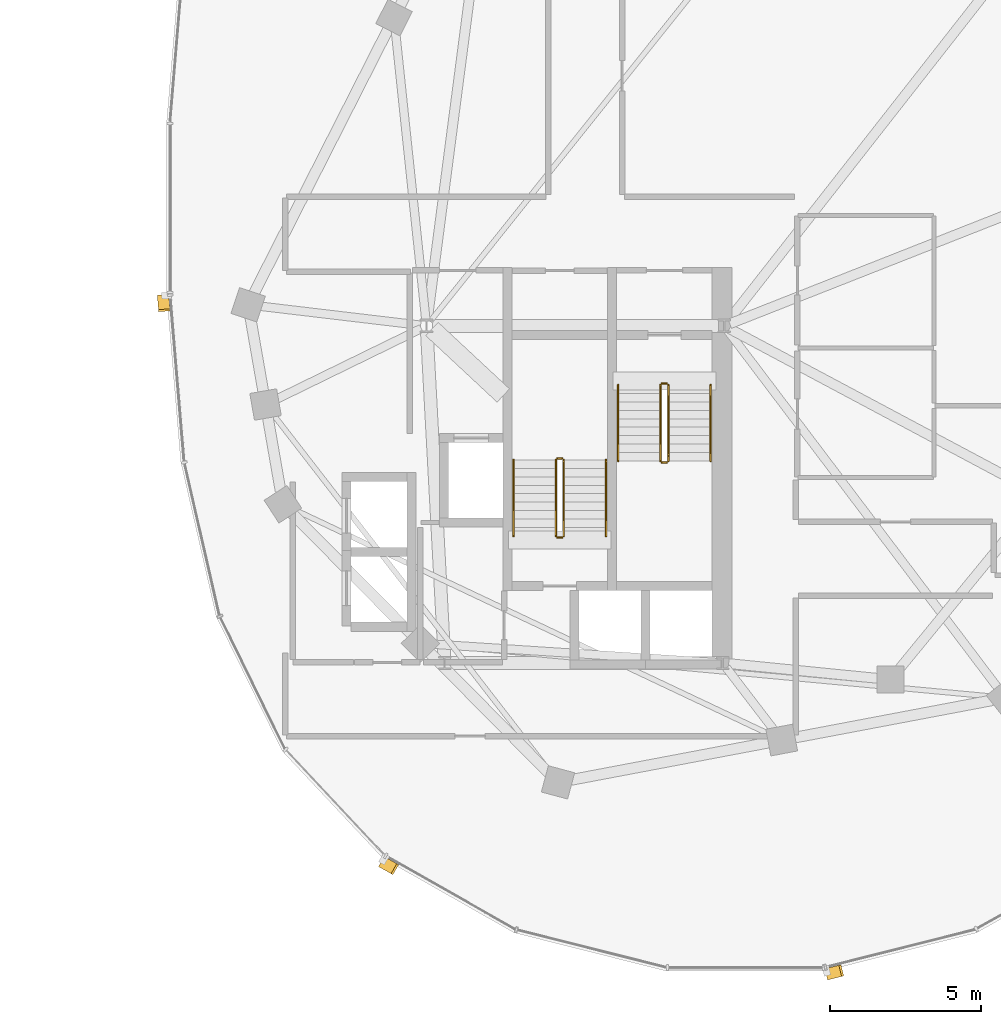
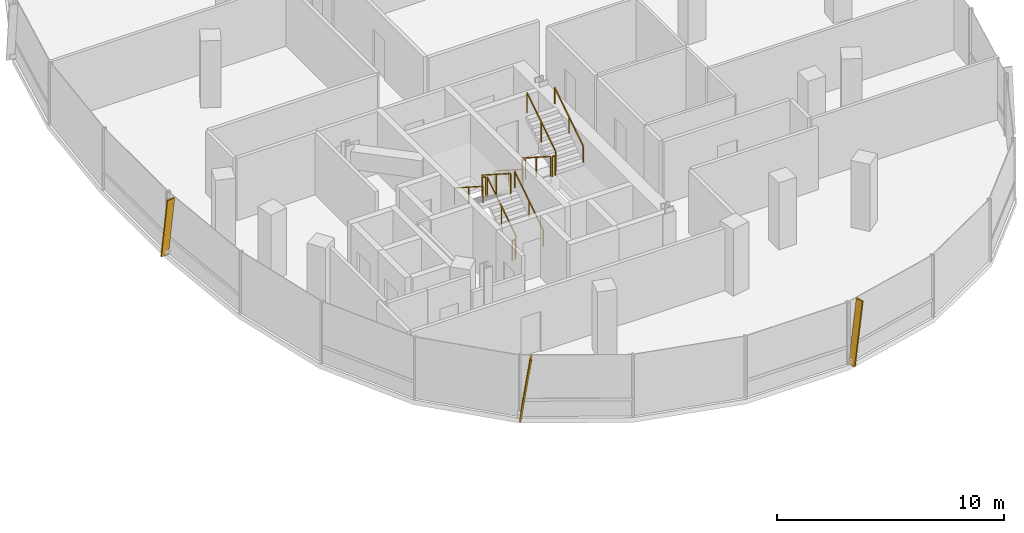
# One storey, part 24 of 25: 12 railings, 3 shading devices.
"""IFC4 building model written with IfcOpenShell, lengths in metres."""

from ifc_helpers import new_model, si_unit, direction, frame, origin, origin_2d, place, context, subcontext, project, spatial, rectangle, extrude, material, material_profile, profile_set, type_object, element, save


model = new_model("IFC4")

# Units and contexts
model_context = context("Model", 3, precision=1e-05, world=origin(), true_north=direction((0.0, 1.0)))
body_context = subcontext(model_context, "Body", "Model", "MODEL_VIEW")
ifc_project = project(units=[si_unit("LENGTHUNIT", "METRE"), si_unit("AREAUNIT", "SQUARE_METRE"), si_unit("VOLUMEUNIT", "CUBIC_METRE"), si_unit("PLANEANGLEUNIT", "RADIAN"), si_unit("MASSUNIT", "GRAM", prefix="KILO"), si_unit("THERMODYNAMICTEMPERATUREUNIT", "KELVIN"), si_unit("POWERUNIT", "WATT")], contexts=[model_context])

# Site, building, storey
site_placement = place(None, origin())
site = spatial("IfcSite", under=ifc_project, at=site_placement, CompositionType="ELEMENT")
building_placement = place(site_placement, origin())
building = spatial("IfcBuilding", under=site, at=building_placement, Name="Cundina Bronze Exchange", CompositionType="ELEMENT")
storey_placement = place(building_placement, frame((0.0, 0.0, 206.199951171875)))
storey = spatial("IfcBuildingStorey", under=building, at=storey_placement, Name="L54", CompositionType="ELEMENT", Elevation=206.199951171875)

# Railings
ifc_material_1 = material(Name="Steel ASTM A36 Painted", Category="steel")
railing_type_1 = type_object("IfcRailingType", Name="RLG-HND-900", PredefinedType="HANDRAIL", material=ifc_material_1)
railing_1_placement = place(storey_placement, frame((27.7900390625, -5.85009765625, 0.179931640625)))
element("IfcRailing", 1, at=railing_1_placement, inside=storey, type_object=railing_type_1, Name="L54 ST-E1 stair handrail 1", PredefinedType="HANDRAIL", context=body_context, shape_type="SweptSolid", body=[
    extrude(rectangle(XDim=0.048095703125, YDim=0.048095703125, at=origin_2d()), frame((0.0, 0.0, 0.8759765625), z_axis=(0.0, -0.841162588446, 0.540782303519), x_axis=(1.0, 0.0, 0.0)), (0.0, 0.0, 1.0), 2.995849609375),
    extrude(rectangle(XDim=0.0419921875, YDim=0.0419921875, at=origin_2d()), origin(), (0.0, 0.0, 1.0), 0.851806640625),
    extrude(rectangle(XDim=0.0419921875, YDim=0.0419921875, at=origin_2d()), frame((0.0, -1.260009765625, 0.81005859375)), (0.0, 0.0, 1.0), 0.851806640625),
    extrude(rectangle(XDim=0.0419921875, YDim=0.0419921875, at=origin_2d()), frame((0.0, -2.52001953125, 1.6201171875)), (0.0, 0.0, 1.0), 0.851806640625),
])
for number, where, name in (
    (2, (30.85009765625, -8.3701171875, 1.97998046875), "L54 ST-E1 stair handrail 2"),
    (3, (27.389892578125, -10.85009765625, 0.179931640625), "L54 ST-E2 stair handrail 1"),
):
    element("IfcRailing", number, at=place(storey_placement, frame(where)), inside=storey, type_object=railing_type_1, Name=name, PredefinedType="HANDRAIL", context=body_context, shape_type="SweptSolid", body=[
        extrude(rectangle(XDim=0.048095703125, YDim=0.048095703125, at=origin_2d()), frame((0.0, 0.0, 0.8759765625), z_axis=(0.0, 0.841162588446, 0.540782303519), x_axis=(-1.0, 0.0, 0.0)), (0.0, 0.0, 1.0), 2.995849609375),
        extrude(rectangle(XDim=0.0419921875, YDim=0.0419921875, at=origin_2d()), origin(), (0.0, 0.0, 1.0), 0.851806640625),
        extrude(rectangle(XDim=0.0419921875, YDim=0.0419921875, at=origin_2d()), frame((0.0, 1.260009765625, 0.81005859375)), (0.0, 0.0, 1.0), 0.851806640625),
        extrude(rectangle(XDim=0.0419921875, YDim=0.0419921875, at=origin_2d()), frame((0.0, 2.52001953125, 1.6201171875)), (0.0, 0.0, 1.0), 0.851806640625),
    ])
railing_2_placement = place(storey_placement, frame((24.330078125, -8.330078125, 1.97998046875)))
element("IfcRailing", 4, at=railing_2_placement, inside=storey, type_object=railing_type_1, Name="L54 ST-E2 stair handrail 2", PredefinedType="HANDRAIL", context=body_context, shape_type="SweptSolid", body=[
    extrude(rectangle(XDim=0.048095703125, YDim=0.048095703125, at=origin_2d()), frame((0.0, 0.0, 0.8759765625), z_axis=(0.0, -0.841162588446, 0.540782303519), x_axis=(1.0, 0.0, 0.0)), (0.0, 0.0, 1.0), 2.995849609375),
    extrude(rectangle(XDim=0.0419921875, YDim=0.0419921875, at=origin_2d()), origin(), (0.0, 0.0, 1.0), 0.851806640625),
    extrude(rectangle(XDim=0.0419921875, YDim=0.0419921875, at=origin_2d()), frame((0.0, -1.260009765625, 0.81005859375)), (0.0, 0.0, 1.0), 0.851806640625),
    extrude(rectangle(XDim=0.0419921875, YDim=0.0419921875, at=origin_2d()), frame((0.0, -2.52001953125, 1.6201171875)), (0.0, 0.0, 1.0), 0.851806640625),
])
railing_type_2 = type_object("IfcRailingType", Name="RLG-STG-1100", PredefinedType="GUARDRAIL", material=ifc_material_1)
railing_3_placement = place(storey_placement, frame((29.18994140625, -5.85009765625, 0.179931640625)))
element("IfcRailing", 5, at=railing_3_placement, inside=storey, type_object=railing_type_2, Name="L54 ST-E1 stair guard 1", PredefinedType="GUARDRAIL", context=body_context, shape_type="SweptSolid", body=[
    extrude(rectangle(XDim=0.048095703125, YDim=0.048095703125, at=origin_2d()), frame((0.0, 0.0, 1.076171875), z_axis=(0.0, -0.841162588446, 0.540782303519), x_axis=(1.0, 0.0, 0.0)), (0.0, 0.0, 1.0), 2.995849609375),
    extrude(rectangle(XDim=0.0419921875, YDim=0.0419921875, at=origin_2d()), origin(), (0.0, 0.0, 1.0), 1.052001953125),
    extrude(rectangle(XDim=0.0419921875, YDim=0.0419921875, at=origin_2d()), frame((0.0, -1.260009765625, 0.81005859375)), (0.0, 0.0, 1.0), 1.052001953125),
    extrude(rectangle(XDim=0.0419921875, YDim=0.0419921875, at=origin_2d()), frame((0.0, -2.52001953125, 1.6201171875)), (0.0, 0.0, 1.0), 1.052001953125),
])
railing_4_placement = place(storey_placement, frame((29.239990234375, -8.419921875, 1.800048828125)))
element("IfcRailing", 6, at=railing_4_placement, inside=storey, type_object=railing_type_2, Name="L54 ST-E1 stair guard 2", PredefinedType="GUARDRAIL", context=body_context, shape_type="SweptSolid", body=[
    extrude(rectangle(XDim=0.048095703125, YDim=0.048095703125, at=origin_2d()), frame((0.0, 0.0, 1.076171875), z_axis=(1.0, 0.0, 0.0), x_axis=(0.0, 1.0, 0.0)), (0.0, 0.0, 1.0), 0.159912109375),
    extrude(rectangle(XDim=0.0419921875, YDim=0.0419921875, at=origin_2d()), origin(), (0.0, 0.0, 1.0), 1.052001953125),
    extrude(rectangle(XDim=0.0419921875, YDim=0.0419921875, at=origin_2d()), frame((0.159912109375, 0.0, 0.0)), (0.0, 0.0, 1.0), 1.052001953125),
])
railing_5_placement = place(storey_placement, frame((29.449951171875, -8.3701171875, 1.97998046875)))
element("IfcRailing", 7, at=railing_5_placement, inside=storey, type_object=railing_type_2, Name="L54 ST-E1 stair guard 3", PredefinedType="GUARDRAIL", context=body_context, shape_type="SweptSolid", body=[
    extrude(rectangle(XDim=0.048095703125, YDim=0.048095703125, at=origin_2d()), frame((0.0, 0.0, 1.076171875), z_axis=(0.0, 0.841162588446, 0.540782303519), x_axis=(-1.0, 0.0, 0.0)), (0.0, 0.0, 1.0), 2.995849609375),
    extrude(rectangle(XDim=0.0419921875, YDim=0.0419921875, at=origin_2d()), origin(), (0.0, 0.0, 1.0), 1.052001953125),
    extrude(rectangle(XDim=0.0419921875, YDim=0.0419921875, at=origin_2d()), frame((0.0, 1.260009765625, 0.81005859375)), (0.0, 0.0, 1.0), 1.052001953125),
    extrude(rectangle(XDim=0.0419921875, YDim=0.0419921875, at=origin_2d()), frame((0.0, 2.52001953125, 1.6201171875)), (0.0, 0.0, 1.0), 1.052001953125),
])
railing_6_placement = place(storey_placement, frame((29.239990234375, -5.800048828125, 0.0)))
element("IfcRailing", 8, at=railing_6_placement, inside=storey, type_object=railing_type_2, Name="L54 ST-E1 stair guard 4", PredefinedType="GUARDRAIL", context=body_context, shape_type="SweptSolid", body=[
    extrude(rectangle(XDim=0.048095703125, YDim=0.048095703125, at=origin_2d()), frame((0.0, 0.0, 1.076171875), z_axis=(1.0, 0.0, 0.0), x_axis=(0.0, 1.0, 0.0)), (0.0, 0.0, 1.0), 0.159912109375),
    extrude(rectangle(XDim=0.0419921875, YDim=0.0419921875, at=origin_2d()), origin(), (0.0, 0.0, 1.0), 1.052001953125),
    extrude(rectangle(XDim=0.0419921875, YDim=0.0419921875, at=origin_2d()), frame((0.159912109375, 0.0, 0.0)), (0.0, 0.0, 1.0), 1.052001953125),
])
railing_7_placement = place(storey_placement, frame((25.989990234375, -10.85009765625, 0.179931640625)))
element("IfcRailing", 9, at=railing_7_placement, inside=storey, type_object=railing_type_2, Name="L54 ST-E2 stair guard 1", PredefinedType="GUARDRAIL", context=body_context, shape_type="SweptSolid", body=[
    extrude(rectangle(XDim=0.048095703125, YDim=0.048095703125, at=origin_2d()), frame((0.0, 0.0, 1.076171875), z_axis=(0.0, 0.841162588446, 0.540782303519), x_axis=(-1.0, 0.0, 0.0)), (0.0, 0.0, 1.0), 2.995849609375),
    extrude(rectangle(XDim=0.0419921875, YDim=0.0419921875, at=origin_2d()), origin(), (0.0, 0.0, 1.0), 1.052001953125),
    extrude(rectangle(XDim=0.0419921875, YDim=0.0419921875, at=origin_2d()), frame((0.0, 1.260009765625, 0.81005859375)), (0.0, 0.0, 1.0), 1.052001953125),
    extrude(rectangle(XDim=0.0419921875, YDim=0.0419921875, at=origin_2d()), frame((0.0, 2.52001953125, 1.6201171875)), (0.0, 0.0, 1.0), 1.052001953125),
])
railing_8_placement = place(storey_placement, frame((25.93994140625, -8.280029296875, 1.800048828125)))
element("IfcRailing", 10, at=railing_8_placement, inside=storey, type_object=railing_type_2, Name="L54 ST-E2 stair guard 2", PredefinedType="GUARDRAIL", context=body_context, shape_type="SweptSolid", body=[
    extrude(rectangle(XDim=0.048095703125, YDim=0.048095703125, at=origin_2d()), frame((0.0, 0.0, 1.076171875), z_axis=(-1.0, 0.0, 0.0), x_axis=(0.0, -1.0, 0.0)), (0.0, 0.0, 1.0), 0.159912109375),
    extrude(rectangle(XDim=0.0419921875, YDim=0.0419921875, at=origin_2d()), origin(), (0.0, 0.0, 1.0), 1.052001953125),
    extrude(rectangle(XDim=0.0419921875, YDim=0.0419921875, at=origin_2d()), frame((-0.159912109375, 0.0, 0.0)), (0.0, 0.0, 1.0), 1.052001953125),
])
railing_9_placement = place(storey_placement, frame((25.72998046875, -8.330078125, 1.97998046875)))
element("IfcRailing", 11, at=railing_9_placement, inside=storey, type_object=railing_type_2, Name="L54 ST-E2 stair guard 3", PredefinedType="GUARDRAIL", context=body_context, shape_type="SweptSolid", body=[
    extrude(rectangle(XDim=0.048095703125, YDim=0.048095703125, at=origin_2d()), frame((0.0, 0.0, 1.076171875), z_axis=(0.0, -0.841162588446, 0.540782303519), x_axis=(1.0, 0.0, 0.0)), (0.0, 0.0, 1.0), 2.995849609375),
    extrude(rectangle(XDim=0.0419921875, YDim=0.0419921875, at=origin_2d()), origin(), (0.0, 0.0, 1.0), 1.052001953125),
    extrude(rectangle(XDim=0.0419921875, YDim=0.0419921875, at=origin_2d()), frame((0.0, -1.260009765625, 0.81005859375)), (0.0, 0.0, 1.0), 1.052001953125),
    extrude(rectangle(XDim=0.0419921875, YDim=0.0419921875, at=origin_2d()), frame((0.0, -2.52001953125, 1.6201171875)), (0.0, 0.0, 1.0), 1.052001953125),
])
railing_10_placement = place(storey_placement, frame((25.93994140625, -10.89990234375, 0.0)))
element("IfcRailing", 12, at=railing_10_placement, inside=storey, type_object=railing_type_2, Name="L54 ST-E2 stair guard 4", PredefinedType="GUARDRAIL", context=body_context, shape_type="SweptSolid", body=[
    extrude(rectangle(XDim=0.048095703125, YDim=0.048095703125, at=origin_2d()), frame((0.0, 0.0, 1.076171875), z_axis=(-1.0, 0.0, 0.0), x_axis=(0.0, -1.0, 0.0)), (0.0, 0.0, 1.0), 0.159912109375),
    extrude(rectangle(XDim=0.0419921875, YDim=0.0419921875, at=origin_2d()), origin(), (0.0, 0.0, 1.0), 1.052001953125),
    extrude(rectangle(XDim=0.0419921875, YDim=0.0419921875, at=origin_2d()), frame((-0.159912109375, 0.0, 0.0)), (0.0, 0.0, 1.0), 1.052001953125),
])

# Shading devices
ifc_material_2 = material(Name="Anodised Bronze Aluminium 6063-T6", Category="aluminium")
ifc_material_profile = material_profile(ifc_material_2, rectangle(XDim=0.070068359375, YDim=0.3798828125, at=origin_2d()), Name="FIN70X380", Category="aluminium")
ifc_profile_set = profile_set([ifc_material_profile], Name="Anodised Bronze Aluminium 6063-T6")
shading_device_type = type_object("IfcShadingDeviceType", Name="SHD-FIN-BRZ380", PredefinedType="USERDEFINED", material=ifc_profile_set)
for number, where, z_axis, x_axis, name in (
    (13, (12.735595703125, -2.90283203125, 0.02001953125), (0.012006555776, -0.143419772964, 0.98958911238), (-0.082555834947, 0.986139516224, 0.143921466983), "L54 Diagonal Bronze Solar Fin 1"),
    (14, (19.984375, -21.635498046875, 0.02001953125), (0.125189514072, -0.071087145125, 0.989582843103), (-0.860526986551, 0.488638423358, 0.143964567292), "L54 Diagonal Bronze Solar Fin 5"),
    (15, (34.705810546875, -25.344482421875, 0.02001953125), (0.139611891367, 0.03514090606, 0.989582556693), (-0.959650042543, -0.24154799183, 0.143966536007), "L54 Diagonal Bronze Solar Fin 1"),
):
    element("IfcShadingDevice", number, at=place(storey_placement, frame(where, z_axis=z_axis, x_axis=x_axis)), inside=storey, type_object=shading_device_type, Name=name, ObjectType="FIN", PredefinedType="USERDEFINED", context=body_context, shape_type="SweptSolid", body=[
        extrude(rectangle(XDim=0.070068359375, YDim=0.3798828125, at=origin_2d()), origin(), (0.0, 0.0, 1.0), 3.334716796875),
    ])

save(model, "model.ifc")
